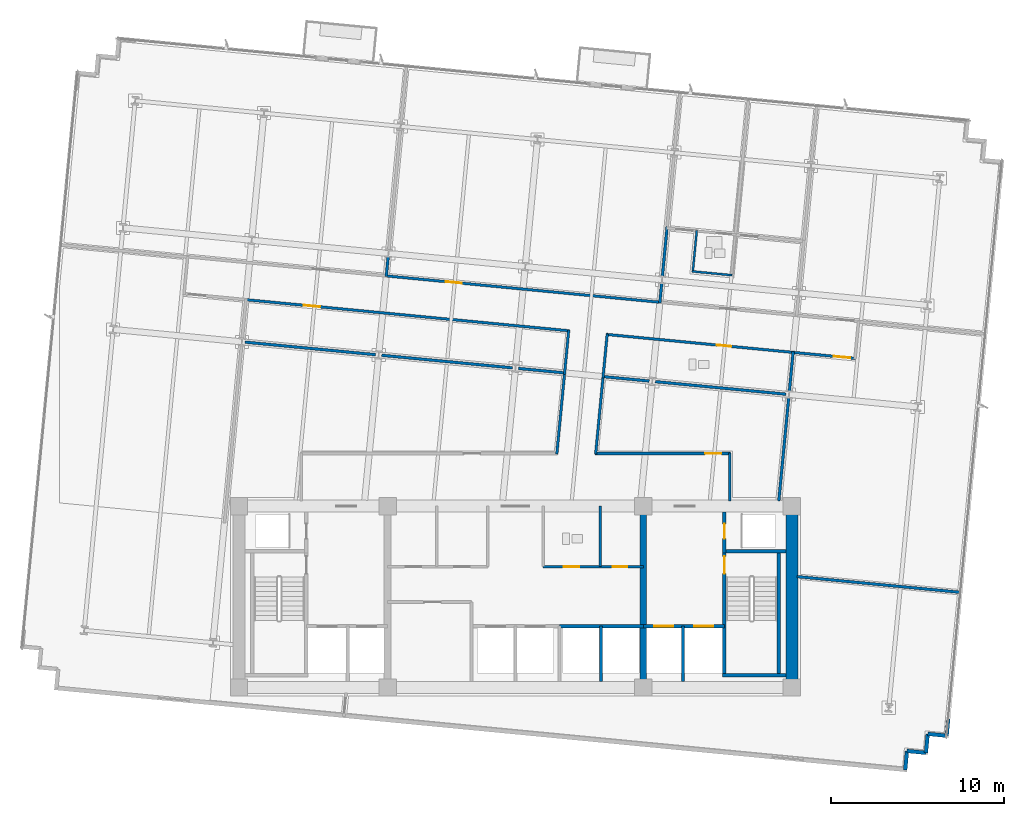
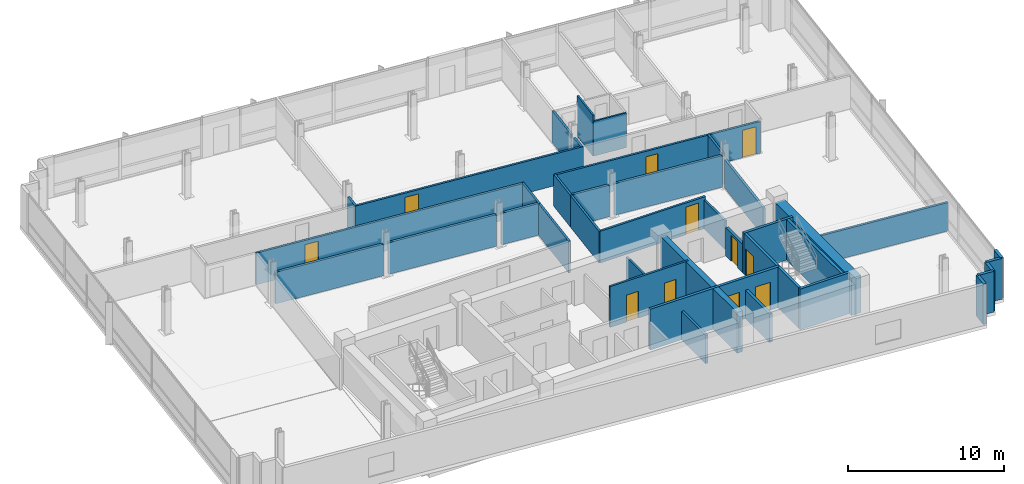
# One storey, part 11 of 16: 41 walls, 11 doors, 11 openings.
"""IFC4 building model written with IfcOpenShell, lengths in metres."""

import ifcopenshell
import ifcopenshell.guid

model = None  # the IFC model being written
_history = None  # IfcOwnerHistory: only IFC2X3 demands one
_inside = {}  # id of a spatial element -> (the spatial element, [elements in it])
_under = {}  # id of a project, library or spatial element -> (it, [spatial elements below it])
_declared = {}  # id of a project -> (the project, [libraries it declares])
_typed = {}  # id of a type object -> (the type object, [elements of that type])
_made_of = {}  # id of a material, layer set ... -> (it, [elements and type objects made of it])


def new_model(schema):
    """Start an empty IFC model of exactly this schema.

    Asked for "IFC4X3", IfcOpenShell would pick the latest addendum, in which some entities
    have other attributes; the version numbers below select the first issue.
    IFC2X3 requires an IfcOwnerHistory on every rooted entity: one is made here for all.
    """
    global model, _history
    if schema == "IFC4X3":
        model = ifcopenshell.file(schema_version=(4, 3, 0, 0))
    else:
        model = ifcopenshell.file(schema=schema)
    _inside.clear()
    _under.clear()
    _declared.clear()
    _typed.clear()
    _made_of.clear()
    _history = None
    if model.schema == "IFC2X3":
        org = make("IfcOrganization", Name="unknown")
        user = make(
            "IfcPersonAndOrganization",
            ThePerson=make("IfcPerson", FamilyName="unknown"),
            TheOrganization=org,
        )
        app = make(
            "IfcApplication",
            ApplicationDeveloper=org,
            Version="unknown",
            ApplicationFullName="unknown",
            ApplicationIdentifier="unknown",
        )
        _history = make(
            "IfcOwnerHistory",
            OwningUser=user,
            OwningApplication=app,
            ChangeAction="ADDED",
            CreationDate=0,
        )
    return model


def make(cls, **values):
    """One entity of the class cls with the attributes given. An attribute that is None is left unset."""
    return model.create_entity(
        cls, **{name: value for name, value in values.items() if value is not None}
    )


def rooted(cls, **values):
    """An entity with a GlobalId (a new one), such as an element, a storey or a relation."""
    return make(cls, GlobalId=ifcopenshell.guid.new(), OwnerHistory=_history, **values)


def si_unit(unit_type, name, prefix=None):
    """IfcSIUnit, for example si_unit("LENGTHUNIT", "METRE", prefix="MILLI")."""
    return make("IfcSIUnit", UnitType=unit_type, Prefix=prefix, Name=name)


def assignment(units):
    """IfcUnitAssignment: the units of a project."""
    return None if units is None else make("IfcUnitAssignment", Units=units)


def point(xyz):
    """IfcCartesianPoint."""
    return None if xyz is None else make("IfcCartesianPoint", Coordinates=xyz)


def direction(xyz):
    """IfcDirection."""
    return None if xyz is None else make("IfcDirection", DirectionRatios=xyz)


def frame(location, z_axis=None, x_axis=None):
    """IfcAxis2Placement3D, a coordinate frame: its origin and axes. An axis left out is left unset."""
    return make(
        "IfcAxis2Placement3D",
        Location=point(location),
        Axis=direction(z_axis),
        RefDirection=direction(x_axis),
    )


def frame_2d(location, x_axis=None):
    """IfcAxis2Placement2D, a coordinate frame in the plane: its origin and x axis."""
    return make(
        "IfcAxis2Placement2D", Location=point(location), RefDirection=direction(x_axis)
    )


def origin():
    """The frame at (0, 0, 0) with its axes left unset."""
    return frame((0.0, 0.0, 0.0))


def place(relative_to, where):
    """IfcLocalPlacement: puts the frame where relative to a parent placement (None: the world)."""
    return make(
        "IfcLocalPlacement", PlacementRelTo=relative_to, RelativePlacement=where
    )


def context(
    kind, dimensions, precision=None, world=None, true_north=None, identifier=None
):
    """IfcGeometricRepresentationContext, for example the 3D "Model" context."""
    return make(
        "IfcGeometricRepresentationContext",
        ContextIdentifier=identifier,
        ContextType=kind,
        CoordinateSpaceDimension=dimensions,
        Precision=precision,
        WorldCoordinateSystem=world,
        TrueNorth=true_north,
    )


def subcontext(parent, identifier, kind, view, scale=None):
    """IfcGeometricRepresentationSubContext, for example "Body" below "Model"."""
    return make(
        "IfcGeometricRepresentationSubContext",
        ContextIdentifier=identifier,
        ContextType=kind,
        ParentContext=parent,
        TargetScale=scale,
        TargetView=view,
    )


def project(units=None, contexts=None):
    """IfcProject with its units and contexts."""
    return rooted(
        "IfcProject",
        Name="project",
        RepresentationContexts=contexts,
        UnitsInContext=assignment(units),
    )


def spatial(cls, under=None, at=None, **own):
    """A site, building, storey or space (cls), placed at a placement, below another one or the project."""
    s = rooted(cls, ObjectPlacement=at, **own)
    if under is not None:
        _under.setdefault(under.id(), (under, []))[1].append(s)
    return s


def profile(cls, at=None, kind="AREA", **sizes):
    """A parametric profile (cls). Its sizes go by their IFC names, for example OverallWidth=200.0."""
    return make(cls, ProfileType=kind, Position=at, **sizes)


def rectangle(**sizes):
    """IfcRectangleProfileDef."""
    return profile("IfcRectangleProfileDef", **sizes)


def extrude(swept, where, along, depth):
    """IfcExtrudedAreaSolid: the profile swept, set in the frame where, extruded along a direction by depth."""
    return make(
        "IfcExtrudedAreaSolid",
        SweptArea=swept,
        Position=where,
        ExtrudedDirection=direction(along),
        Depth=depth,
    )


def shape(context_of_items, identifier, shape_type, items):
    """IfcShapeRepresentation: the items that make up one representation, for example the "Body"."""
    return make(
        "IfcShapeRepresentation",
        ContextOfItems=context_of_items,
        RepresentationIdentifier=identifier,
        RepresentationType=shape_type,
        Items=items,
    )


def material(Name=None, Category=None):
    """IfcMaterial."""
    return make("IfcMaterial", Name=Name, Category=Category)


def layer(
    of_material, thickness, ventilated=None, Name=None, Category=None, Priority=None
):
    """IfcMaterialLayer: one layer of a wall or slab, of a material (None: an air gap)."""
    return make(
        "IfcMaterialLayer",
        Material=of_material,
        LayerThickness=thickness,
        IsVentilated=ventilated,
        Name=Name,
        Category=Category,
        Priority=Priority,
    )


def layer_set(layers, Name=None):
    """IfcMaterialLayerSet."""
    return make("IfcMaterialLayerSet", MaterialLayers=layers, LayerSetName=Name)


def made_of(thing, what):
    """Note that an element or type object is made of a material, layer set ...; save() writes the relation."""
    if what is not None:
        _made_of.setdefault(what.id(), (what, []))[1].append(thing)
    return thing


def type_object(cls, material=None, **own):
    """A type object (cls), such as IfcWallType, which elements share."""
    return made_of(rooted(cls, **own), material)


def element(
    cls,
    number,
    at=None,
    inside=None,
    cuts=None,
    type_object=None,
    material=None,
    context=None,
    identifier="Body",
    shape_type=None,
    held_by="IfcProductDefinitionShape",
    body=None,
    shapes=None,
    **own,
):
    """One element of the class cls, such as IfcWall. Its Tag is "e" and its number.

    at: its placement. inside: the storey or other place that contains it. cuts: it is an
    opening in that element (IfcRelVoidsElement). A single representation is given by context,
    identifier, shape_type and body (its items); several are given by shapes. held_by: the class
    of the entity that holds the representations. save() writes the other relations.
    """
    e = rooted(cls, Tag="e%d" % number, ObjectPlacement=at, **own)
    if body is not None:
        shapes = [shape(context, identifier, shape_type, body)]
    if shapes is not None:
        e.Representation = make(held_by, Representations=shapes)
    if inside is not None:
        _inside.setdefault(inside.id(), (inside, []))[1].append(e)
    if cuts is not None:
        rooted(
            "IfcRelVoidsElement", RelatingBuildingElement=cuts, RelatedOpeningElement=e
        )
    if type_object is not None:
        _typed.setdefault(type_object.id(), (type_object, []))[1].append(e)
    return made_of(e, material)


def fill(opening, filler):
    """IfcRelFillsElement: the door or window that sits in an opening."""
    return rooted(
        "IfcRelFillsElement",
        RelatingOpeningElement=opening,
        RelatedBuildingElement=filler,
    )


def aggregate(whole, parts):
    """IfcRelAggregates: a whole, such as a stair, and the parts it consists of."""
    return rooted("IfcRelAggregates", RelatingObject=whole, RelatedObjects=parts)


def save(model, path):
    """Write the relations noted so far, then the file.

    IfcRelAggregates (storeys below a building ...), IfcRelContainedInSpatialStructure (elements
    in a storey), IfcRelDefinesByType, IfcRelAssociatesMaterial and IfcRelDeclares: one each for
    every whole, place, type object, material and project.
    """
    for whole, parts in _under.values():
        aggregate(whole, parts)
    for where, things in _inside.values():
        rooted(
            "IfcRelContainedInSpatialStructure",
            RelatedElements=things,
            RelatingStructure=where,
        )
    for kind, things in _typed.values():
        rooted("IfcRelDefinesByType", RelatedObjects=things, RelatingType=kind)
    for what, things in _made_of.values():
        rooted("IfcRelAssociatesMaterial", RelatedObjects=things, RelatingMaterial=what)
    for by, libraries in _declared.values():
        rooted("IfcRelDeclares", RelatingContext=by, RelatedDefinitions=libraries)
    model.write(path)


model = new_model("IFC4")

# Units and contexts
model_context = context("Model", 3, precision=1e-05, world=origin(), true_north=direction((0.0, 1.0)))
body_context = subcontext(model_context, "Body", "Model", "MODEL_VIEW")
ifc_project = project(units=[si_unit("LENGTHUNIT", "METRE"), si_unit("AREAUNIT", "SQUARE_METRE"), si_unit("VOLUMEUNIT", "CUBIC_METRE"), si_unit("PLANEANGLEUNIT", "RADIAN"), si_unit("MASSUNIT", "GRAM", prefix="KILO")], contexts=[model_context])

# Site, building, storey
site_placement = place(None, origin())
site = spatial("IfcSite", under=ifc_project, at=site_placement, CompositionType="ELEMENT")
building_placement = place(site_placement, origin())
building = spatial("IfcBuilding", under=site, at=building_placement, Name="Solmavex Isthmus Hotel", CompositionType="ELEMENT")
storey_placement = place(building_placement, frame((0.0, 0.0, 160.050048828125)))
storey = spatial("IfcBuildingStorey", under=building, at=storey_placement, Name="L43", CompositionType="ELEMENT", Elevation=160.050048828125)

# Walls
ifc_material_1 = material(Name="Precast Concrete C40/50", Category="concrete")
ifc_layer_1 = layer(ifc_material_1, 0.25)
ifc_layer_set_1 = layer_set([ifc_layer_1], Name="Precast Concrete C40/50")
wall_type_1 = type_object("IfcWallType", Name="EW-TWR-250", PredefinedType="STANDARD", material=ifc_layer_set_1)
wall_1_placement = place(storey_placement, frame((25.0615234375, -14.804931640625, 0.0), z_axis=(0.0, 0.0, 1.0), x_axis=(-0.095914428506, -0.995389583231, 0.0)))
element("IfcWall", 1, at=wall_1_placement, inside=storey, type_object=wall_type_1, Name="Serrated Corner Facade Panel L43-21", PredefinedType="STANDARD", context=body_context, shape_type="SweptSolid", body=[
    extrude(rectangle(XDim=0.990234375, YDim=0.219970703125, at=frame_2d((0.4951171875, 0.0))), origin(), (0.0, 0.0, 1.0), 3.18994140625),
])
for number, where, z_axis, x_axis, name in (
    (2, (24.966552734375, -15.79052734375, 0.0), (0.0, 0.0, 1.0), (-0.995393156894, 0.095877334176, 0.0), "Serrated Corner Facade Panel L43-22"),
    (3, (23.87158203125, -15.68505859375, 0.0), (0.0, 0.0, 1.0), (-0.095877334176, -0.995393156894, 0.0), "Serrated Corner Facade Panel L43-23"),
    (4, (23.76611328125, -16.780029296875, 0.0), (0.0, 0.0, 1.0), (-0.995393156894, 0.095877334176, 0.0), "Serrated Corner Facade Panel L43-24"),
    (5, (22.671142578125, -16.674560546875, 0.0), (0.0, 0.0, 1.0), (-0.095657429048, -0.995414313875, 0.0), "Serrated Corner Facade Panel L43-25"),
):
    element("IfcWall", number, at=place(storey_placement, frame(where, z_axis=z_axis, x_axis=x_axis)), inside=storey, type_object=wall_type_1, Name=name, PredefinedType="STANDARD", context=body_context, shape_type="SweptSolid", body=[
        extrude(rectangle(XDim=1.10009765625, YDim=0.219970703125, at=frame_2d((0.550048828125, 0.0))), origin(), (0.0, 0.0, 1.0), 3.18994140625),
    ])
ifc_material_2 = material(Name="Gypsum plasterboard lining", Category="gypsum")
ifc_layer_2 = layer(ifc_material_2, 0.159912109375)
ifc_layer_set_2 = layer_set([ifc_layer_2], Name="Gypsum plasterboard lining")
wall_type_2 = type_object("IfcWallType", Name="IW-COMP-160", PredefinedType="PARTITIONING", material=ifc_layer_set_2)
for number, where, z_axis, x_axis, name in (
    (6, (-7.36865234375, 11.95849609375, 0.0), (0.0, 0.0, 1.0), (-0.095831494917, -0.995397571115, 0.0), "Interior Partition Wall W-L43-P019"),
    (7, (8.469970703125, 10.433349609375, 0.0), (0.0, 0.0, 1.0), (-0.095831494917, -0.995397571115, 0.0), "Interior Partition Wall W-L43-P023"),
):
    element("IfcWall", number, at=place(storey_placement, frame(where, z_axis=z_axis, x_axis=x_axis)), inside=storey, type_object=wall_type_2, Name=name, PredefinedType="PARTITIONING", context=body_context, shape_type="SweptSolid", body=[
        extrude(rectangle(XDim=1.171875, YDim=0.159912109375, at=frame_2d((0.5859375, 0.0))), origin(), (0.0, 0.0, 1.0), 2.4794921875),
    ])
wall_2_placement = place(storey_placement, frame((8.7822265625, 13.676513671875, 0.0), z_axis=(0.0, 0.0, 1.0), x_axis=(-0.095851667856, -0.995395628767, 0.0)))
element("IfcWall", 8, at=wall_2_placement, inside=storey, type_object=wall_type_2, Name="Interior Partition Wall W-L43-P024", PredefinedType="PARTITIONING", context=body_context, shape_type="SweptSolid", body=[
    extrude(rectangle(XDim=2.90625, YDim=0.159912109375, at=frame_2d((1.453125, 0.0))), origin(), (0.0, 0.0, 1.0), 2.4794921875),
])
wall_3_placement = place(storey_placement, frame((7.745361328125, 4.74462890625, 0.0), z_axis=(0.0, 0.0, 1.0), x_axis=(-0.995392910691, 0.095879890208, 0.0)))
element("IfcWall", 9, at=wall_3_placement, inside=storey, type_object=wall_type_2, Name="Interior Partition Wall W-L43-P039", PredefinedType="PARTITIONING", context=body_context, shape_type="SweptSolid", body=[
    extrude(rectangle(XDim=2.721923828125, YDim=0.159912109375, at=frame_2d((1.36083984375, 0.0))), origin(), (0.0, 0.0, 1.0), 2.4794921875),
])
wall_4_placement = place(storey_placement, frame((15.664794921875, 3.982177734375, 0.0), z_axis=(0.0, 0.0, 1.0), x_axis=(-0.995396667246, 0.095840882902, 0.0)))
element("IfcWall", 10, at=wall_4_placement, inside=storey, type_object=wall_type_2, Name="Interior Partition Wall W-L43-P040", PredefinedType="PARTITIONING", context=body_context, shape_type="SweptSolid", body=[
    extrude(rectangle(XDim=7.603759765625, YDim=0.159912109375, at=frame_2d((3.8017578125, 0.0))), origin(), (0.0, 0.0, 1.0), 2.4794921875),
])
wall_5_placement = place(storey_placement, frame((16.07861328125, 6.44384765625, 0.0), z_axis=(0.0, 0.0, 1.0), x_axis=(-0.095794827695, -0.995401100555, 0.0)))
element("IfcWall", 11, at=wall_5_placement, inside=storey, type_object=wall_type_2, Name="Interior Partition Wall W-L43-P041", PredefinedType="PARTITIONING", context=body_context, shape_type="SweptSolid", body=[
    extrude(rectangle(XDim=2.314208984375, YDim=0.159912109375, at=frame_2d((1.1572265625, 0.0))), origin(), (0.0, 0.0, 1.0), 2.4794921875),
])
for number, where, z_axis, x_axis, name in (
    (12, (-8.09326171875, 6.269775390625, 0.0), (0.0, 0.0, 1.0), (-0.995396962155, 0.095837819954, 0.0), "Interior Partition Wall W-L43-P042"),
    (13, (-0.173828125, 5.507080078125, 0.0), (0.0, 0.0, 1.0), (-0.995393898805, 0.095869631385, 0.0), "Interior Partition Wall W-L43-P043"),
):
    element("IfcWall", number, at=place(storey_placement, frame(where, z_axis=z_axis, x_axis=x_axis)), inside=storey, type_object=wall_type_2, Name=name, PredefinedType="PARTITIONING", context=body_context, shape_type="SweptSolid", body=[
        extrude(rectangle(XDim=7.60400390625, YDim=0.159912109375, at=frame_2d((3.802001953125, 0.0))), origin(), (0.0, 0.0, 1.0), 2.4794921875),
    ])
wall_6_placement = place(storey_placement, frame((2.885986328125, 5.212646484375, 0.0), z_axis=(0.0, 0.0, 1.0), x_axis=(-0.995401466761, 0.095791022391, 0.0)))
element("IfcWall", 14, at=wall_6_placement, inside=storey, type_object=wall_type_2, Name="Interior Partition Wall W-L43-P044", PredefinedType="PARTITIONING", context=body_context, shape_type="SweptSolid", body=[
    extrude(rectangle(XDim=2.721923828125, YDim=0.159912109375, at=frame_2d((1.36083984375, 0.0))), origin(), (0.0, 0.0, 1.0), 2.4794921875),
])
wall_7_placement = place(storey_placement, frame((15.8232421875, 3.7900390625, 0.0), z_axis=(0.0, 0.0, 1.0), x_axis=(-0.095865726078, -0.99539427493, 0.0)))
element("IfcWall", 15, at=wall_7_placement, inside=storey, type_object=wall_type_2, Name="Interior Partition Wall W-L43-P046", PredefinedType="PARTITIONING", context=body_context, shape_type="SweptSolid", body=[
    extrude(rectangle(XDim=6.007568359375, YDim=0.159912109375, at=frame_2d((3.00390625, 0.0))), origin(), (0.0, 0.0, 1.0), 2.224853515625),
])
wall_8_placement = place(storey_placement, frame((25.795654296875, -7.49169921875, 0.0), z_axis=(0.0, 0.0, 1.0), x_axis=(-0.995396487733, 0.095842747294, 0.0)))
element("IfcWall", 16, at=wall_8_placement, inside=storey, type_object=wall_type_2, Name="Interior Partition Wall W-L43-P049", PredefinedType="PARTITIONING", context=body_context, shape_type="SweptSolid", body=[
    extrude(rectangle(XDim=9.529541015625, YDim=0.159912109375, at=frame_2d((4.7646484375, 0.0))), origin(), (0.0, 0.0, 1.0), 2.224853515625),
])

# Wall, openings, doors
ifc_layer_3 = layer(ifc_material_2, 0.14990234375)
ifc_layer_set_3 = layer_set([ifc_layer_3], Name="Gypsum plasterboard lining")
wall_type_3 = type_object("IfcWallType", Name="IW-CORR-150", PredefinedType="PARTITIONING", material=ifc_layer_set_3)
wall_9_placement = place(storey_placement, frame((1.60009765625, -6.0, 0.0), z_axis=(0.0, 0.0, 1.0), x_axis=(1.0, 0.0, 0.0)))
wall_9 = element("IfcWall", 17, at=wall_9_placement, inside=storey, type_object=wall_type_3, Name="Interior Partition Wall W-L43-BOH-ES", PredefinedType="PARTITIONING", context=body_context, shape_type="SweptSolid", body=[
    extrude(rectangle(XDim=5.7998046875, YDim=0.14990234375, at=frame_2d((2.89990234375, 0.0))), origin(), (0.0, 0.0, 1.0), 3.18994140625),
])
opening_1_placement = place(wall_9_placement, frame((1.199951171875, 0.0, 0.0)))
opening_1 = element("IfcOpeningElement", 18, at=opening_1_placement, cuts=wall_9, Name="Opening ID-C090", PredefinedType="OPENING", context=body_context, shape_type="SweptSolid", body=[
    extrude(rectangle(XDim=0.89990234375, YDim=2.10009765625, at=frame_2d((0.449951171875, 1.050048828125))), frame((0.0, 0.0849609375, 0.0), z_axis=(0.0, -1.0, 0.0), x_axis=(1.0, 0.0, 0.0)), (0.0, 0.0, 1.0), 0.169921875),
])
opening_2_placement = place(wall_9_placement, frame((4.02490234375, 0.0, 0.0)))
opening_2 = element("IfcOpeningElement", 19, at=opening_2_placement, cuts=wall_9, Name="Opening ID-R085", PredefinedType="OPENING", context=body_context, shape_type="SweptSolid", body=[
    extrude(rectangle(XDim=0.85009765625, YDim=2.050048828125, at=frame_2d((0.425048828125, 1.02490234375))), frame((0.0, 0.0849609375, 0.0), z_axis=(0.0, -1.0, 0.0), x_axis=(1.0, 0.0, 0.0)), (0.0, 0.0, 1.0), 0.169921875),
])
ifc_material_3 = material(Name="Steel ASTM A500 Grade C", Category="steel")
door_type_1 = type_object("IfcDoorType", Name="IDR-FD60-0850", OperationType="NOTDEFINED", PredefinedType="DOOR", material=ifc_material_3)
door_1_placement = place(opening_2_placement, frame((0.85009765625, 0.0, 0.0), z_axis=(0.0, 0.0, 1.0), x_axis=(-1.0, 0.0, 0.0)))
door_1 = element("IfcDoor", 20, at=door_1_placement, inside=storey, type_object=door_type_1, Name="IT Room Door L43", OperationType="SINGLE_SWING_RIGHT", OverallHeight=2.050048828125, OverallWidth=0.85009765625, PredefinedType="DOOR", context=body_context, shape_type="SweptSolid", body=[
    extrude(rectangle(XDim=0.85009765625, YDim=2.050048828125, at=frame_2d((0.425048828125, 1.02490234375))), frame((0.0, 0.02490234375, 0.0), z_axis=(0.0, -1.0, 0.0), x_axis=(1.0, 0.0, 0.0)), (0.0, 0.0, 1.0), 0.050048828125),
])
fill(opening_2, door_1)
ifc_material_4 = material(Name="Hardwood timber", Category="wood")
door_type_2 = type_object("IfcDoorType", Name="IDR-FD60-0900", OperationType="NOTDEFINED", PredefinedType="DOOR", material=ifc_material_4)
door_2_placement = place(opening_1_placement, frame((0.89990234375, 0.0, 0.0), z_axis=(0.0, 0.0, 1.0), x_axis=(-1.0, 0.0, 0.0)))
door_2 = element("IfcDoor", 21, at=door_2_placement, inside=storey, type_object=door_type_2, Name="Staff Restroom Door L43", OperationType="SINGLE_SWING_LEFT", OverallHeight=2.10009765625, OverallWidth=0.89990234375, PredefinedType="DOOR", context=body_context, shape_type="SweptSolid", body=[
    extrude(rectangle(XDim=0.89990234375, YDim=2.10009765625, at=frame_2d((0.449951171875, 1.050048828125))), frame((0.0, 0.02490234375, 0.0), z_axis=(0.0, -1.0, 0.0), x_axis=(1.0, 0.0, 0.0)), (0.0, 0.0, 1.0), 0.050048828125),
])
fill(opening_1, door_2)

# Wall, opening, door
wall_10_placement = place(storey_placement, frame((-7.558837890625, 10.839599609375, 0.0), z_axis=(0.0, 0.0, 1.0), x_axis=(0.995396443768, -0.095843203903, 0.0)))
wall_10 = element("IfcWall", 22, at=wall_10_placement, inside=storey, type_object=wall_type_3, Name="Interior Partition Wall W-L43-P002", PredefinedType="PARTITIONING", context=body_context, shape_type="SweptSolid", body=[
    extrude(rectangle(XDim=16.075927734375, YDim=0.14990234375, at=frame_2d((8.0380859375, 0.0))), origin(), (0.0, 0.0, 1.0), 2.4794921875),
])
opening_3_placement = place(wall_10_placement, frame((3.531982421875, 0.0, 0.0)))
opening_3 = element("IfcOpeningElement", 23, at=opening_3_placement, cuts=wall_10, Name="Opening ID-C095", PredefinedType="OPENING", context=body_context, shape_type="SweptSolid", body=[
    extrude(rectangle(XDim=0.949951171875, YDim=2.14990234375, at=frame_2d((0.47509765625, 1.074951171875))), frame((0.0, 0.0849609375, 0.0), z_axis=(0.0, -1.0, 0.0), x_axis=(1.0, 0.0, 0.0)), (0.0, 0.0, 1.0), 0.169921875),
])
door_type_3 = type_object("IfcDoorType", Name="IDR-FD60-0950", OperationType="NOTDEFINED", PredefinedType="DOOR", material=ifc_material_4)
door_3_placement = place(opening_3_placement, frame((0.949951171875, 0.0, 0.0), z_axis=(0.0, 0.0, 1.0), x_axis=(-1.0, 0.0, 0.0)))
door_3 = element("IfcDoor", 24, at=door_3_placement, inside=storey, type_object=door_type_3, Name="Corporate Briefing Office Door L43-02", OperationType="SINGLE_SWING_RIGHT", OverallHeight=2.14990234375, OverallWidth=0.949951171875, PredefinedType="DOOR", context=body_context, shape_type="SweptSolid", body=[
    extrude(rectangle(XDim=0.949951171875, YDim=2.14990234375, at=frame_2d((0.47509765625, 1.074951171875))), frame((0.0, 0.02490234375, 0.0), z_axis=(0.0, -1.0, 0.0), x_axis=(1.0, 0.0, 0.0)), (0.0, 0.0, 1.0), 0.050048828125),
])
fill(opening_3, door_3)

wall_11_placement = place(storey_placement, frame((16.156494140625, 6.39599609375, 0.0), z_axis=(0.0, 0.0, 1.0), x_axis=(-0.99539478422, 0.095860437863, 0.0)))
wall_11 = element("IfcWall", 25, at=wall_11_placement, inside=storey, type_object=wall_type_3, Name="Interior Partition Wall W-L43-P005", PredefinedType="PARTITIONING", context=body_context, shape_type="SweptSolid", body=[
    extrude(rectangle(XDim=10.93603515625, YDim=0.14990234375, at=frame_2d((5.468017578125, 0.0))), origin(), (0.0, 0.0, 1.0), 2.4794921875),
])
opening_4_placement = place(wall_11_placement, frame((3.675048828125, 0.0, 0.0)))
opening_4 = element("IfcOpeningElement", 26, at=opening_4_placement, cuts=wall_11, Name="Opening ID-R085", PredefinedType="OPENING", context=body_context, shape_type="SweptSolid", body=[
    extrude(rectangle(XDim=0.85009765625, YDim=2.050048828125, at=frame_2d((0.425048828125, 1.02490234375))), frame((0.0, 0.0849609375, 0.0), z_axis=(0.0, -1.0, 0.0), x_axis=(1.0, 0.0, 0.0)), (0.0, 0.0, 1.0), 0.169921875),
])
door_4_placement = place(opening_4_placement, frame((0.85009765625, 0.0, 0.0), z_axis=(0.0, 0.0, 1.0), x_axis=(-1.0, 0.0, 0.0)))
door_4 = element("IfcDoor", 27, at=door_4_placement, inside=storey, type_object=door_type_1, Name="Accessible Public Restroom WC Door L43-08", OperationType="SINGLE_SWING_RIGHT", OverallHeight=2.050048828125, OverallWidth=0.85009765625, PredefinedType="DOOR", context=body_context, shape_type="SweptSolid", body=[
    extrude(rectangle(XDim=0.85009765625, YDim=2.050048828125, at=frame_2d((0.425048828125, 1.02490234375))), frame((0.0, 0.02490234375, 0.0), z_axis=(0.0, -1.0, 0.0), x_axis=(1.0, 0.0, 0.0)), (0.0, 0.0, 1.0), 0.050048828125),
])
fill(opening_4, door_4)

# Walls
for number, where, z_axis, x_axis, name in (
    (28, (5.314453125, 7.480224609375, 0.0), (0.0, 0.0, 1.0), (-0.09587519517, -0.995393362923, 0.0), "Interior Partition Wall W-L43-P006"),
    (29, (2.83837890625, 5.134765625, 0.0), (0.0, 0.0, 1.0), (0.095772090971, 0.995403288417, 0.0), "Interior Partition Wall W-L43-P007"),
):
    element("IfcWall", number, at=place(storey_placement, frame(where, z_axis=z_axis, x_axis=x_axis)), inside=storey, type_object=wall_type_3, Name=name, PredefinedType="PARTITIONING", context=body_context, shape_type="SweptSolid", body=[
        extrude(rectangle(XDim=2.572021484375, YDim=0.14990234375, at=frame_2d((1.2861328125, 0.0))), origin(), (0.0, 0.0, 1.0), 2.4794921875),
    ])

# Wall, opening, door
wall_12_placement = place(storey_placement, frame((3.120849609375, 7.6513671875, 0.0), z_axis=(0.0, 0.0, 1.0), x_axis=(-0.995397135603, 0.095836018457, 0.0)))
wall_12 = element("IfcWall", 30, at=wall_12_placement, inside=storey, type_object=wall_type_3, Name="Interior Partition Wall W-L43-P008", PredefinedType="PARTITIONING", context=body_context, shape_type="SweptSolid", body=[
    extrude(rectangle(XDim=18.89208984375, YDim=0.14990234375, at=frame_2d((9.446044921875, 0.0))), origin(), (0.0, 0.0, 1.0), 2.4794921875),
])
opening_5_placement = place(wall_12_placement, frame((14.501708984375, 0.0, 0.0)))
opening_5 = element("IfcOpeningElement", 31, at=opening_5_placement, cuts=wall_12, Name="Opening ID-C095", PredefinedType="OPENING", context=body_context, shape_type="SweptSolid", body=[
    extrude(rectangle(XDim=0.949951171875, YDim=2.14990234375, at=frame_2d((0.47509765625, 1.074951171875))), frame((0.0, 0.0849609375, 0.0), z_axis=(0.0, -1.0, 0.0), x_axis=(1.0, 0.0, 0.0)), (0.0, 0.0, 1.0), 0.169921875),
])
door_5_placement = place(opening_5_placement, frame((0.949951171875, 0.0, 0.0), z_axis=(0.0, 0.0, 1.0), x_axis=(-1.0, 0.0, 0.0)))
door_5 = element("IfcDoor", 32, at=door_5_placement, inside=storey, type_object=door_type_3, Name="Private Dining Room Door L43-09", OperationType="SINGLE_SWING_LEFT", OverallHeight=2.14990234375, OverallWidth=0.949951171875, PredefinedType="DOOR", context=body_context, shape_type="SweptSolid", body=[
    extrude(rectangle(XDim=0.949951171875, YDim=2.14990234375, at=frame_2d((0.47509765625, 1.074951171875))), frame((0.0, 0.02490234375, 0.0), z_axis=(0.0, -1.0, 0.0), x_axis=(1.0, 0.0, 0.0)), (0.0, 0.0, 1.0), 0.050048828125),
])
fill(opening_5, door_5)

# Wall
wall_13_placement = place(storey_placement, frame((5.083740234375, 5.083251953125, 0.0), z_axis=(0.0, 0.0, 1.0), x_axis=(-0.095867331855, -0.995394120277, 0.0)))
element("IfcWall", 33, at=wall_13_placement, inside=storey, type_object=wall_type_3, Name="Interior Partition Wall W-L43-P009", PredefinedType="PARTITIONING", context=body_context, shape_type="SweptSolid", body=[
    extrude(rectangle(XDim=4.59423828125, YDim=0.14990234375, at=frame_2d((2.297119140625, 0.0))), origin(), (0.0, 0.0, 1.0), 2.4794921875),
])

# Wall, opening, door
wall_14_placement = place(storey_placement, frame((4.607177734375, 0.550048828125, 0.0), z_axis=(0.0, 0.0, 1.0), x_axis=(1.0, 0.0, 0.0)))
wall_14 = element("IfcWall", 34, at=wall_14_placement, inside=storey, type_object=wall_type_3, Name="Interior Partition Wall W-L43-P010", PredefinedType="PARTITIONING", context=body_context, shape_type="SweptSolid", body=[
    extrude(rectangle(XDim=7.832763671875, YDim=0.14990234375, at=frame_2d((3.91650390625, 0.0))), origin(), (0.0, 0.0, 1.0), 2.4794921875),
])
opening_6_placement = place(wall_14_placement, frame((6.3720703125, 0.0, 0.0)))
opening_6 = element("IfcOpeningElement", 35, at=opening_6_placement, cuts=wall_14, Name="Opening ID-C095", PredefinedType="OPENING", context=body_context, shape_type="SweptSolid", body=[
    extrude(rectangle(XDim=0.949951171875, YDim=2.14990234375, at=frame_2d((0.47509765625, 1.074951171875))), frame((0.0, 0.0849609375, 0.0), z_axis=(0.0, -1.0, 0.0), x_axis=(1.0, 0.0, 0.0)), (0.0, 0.0, 1.0), 0.169921875),
])
door_6_placement = place(opening_6_placement, origin())
door_6 = element("IfcDoor", 36, at=door_6_placement, inside=storey, type_object=door_type_3, Name="Catering Servery Kitchen Door L43-10", OperationType="SINGLE_SWING_RIGHT", OverallHeight=2.14990234375, OverallWidth=0.949951171875, PredefinedType="DOOR", context=body_context, shape_type="SweptSolid", body=[
    extrude(rectangle(XDim=0.949951171875, YDim=2.14990234375, at=frame_2d((0.47509765625, 1.074951171875))), frame((0.0, 0.02490234375, 0.0), z_axis=(0.0, -1.0, 0.0), x_axis=(1.0, 0.0, 0.0)), (0.0, 0.0, 1.0), 0.050048828125),
])
fill(opening_6, door_6)

# Walls
wall_15_placement = place(storey_placement, frame((12.39990234375, 0.590087890625, 0.0), z_axis=(0.0, 0.0, 1.0), x_axis=(0.0, -1.0, 0.0)))
element("IfcWall", 37, at=wall_15_placement, inside=storey, type_object=wall_type_3, Name="Interior Partition Wall W-L43-P011", PredefinedType="PARTITIONING", context=body_context, shape_type="SweptSolid", body=[
    extrude(rectangle(XDim=2.780029296875, YDim=0.14990234375, at=frame_2d((1.39013671875, 0.0))), origin(), (0.0, 0.0, 1.0), 2.224853515625),
])
wall_16_placement = place(storey_placement, frame((2.39306640625, 0.51025390625, 0.0), z_axis=(0.0, 0.0, 1.0), x_axis=(0.095829431913, 0.995397769728, 0.0)))
element("IfcWall", 38, at=wall_16_placement, inside=storey, type_object=wall_type_3, Name="Interior Partition Wall W-L43-P014", PredefinedType="PARTITIONING", context=body_context, shape_type="SweptSolid", body=[
    extrude(rectangle(XDim=4.81005859375, YDim=0.14990234375, at=frame_2d((2.405029296875, 0.0))), origin(), (0.0, 0.0, 1.0), 2.4794921875),
])

# Wall, opening, door
wall_17_placement = place(storey_placement, frame((19.697998046875, 6.05517578125, 0.0), z_axis=(0.0, 0.0, 1.0), x_axis=(-0.995397364202, 0.095833644092, 0.0)))
wall_17 = element("IfcWall", 39, at=wall_17_placement, inside=storey, type_object=wall_type_3, Name="Interior Partition Wall W-L43-P016", PredefinedType="PARTITIONING", context=body_context, shape_type="SweptSolid", body=[
    extrude(rectangle(XDim=3.721923828125, YDim=0.14990234375, at=frame_2d((1.86083984375, 0.0))), origin(), (0.0, 0.0, 1.0), 2.4794921875),
])
opening_7_placement = place(wall_17_placement, frame((0.315185546875, 0.0, 0.0)))
opening_7 = element("IfcOpeningElement", 40, at=opening_7_placement, cuts=wall_17, Name="Opening ID-C095", PredefinedType="OPENING", context=body_context, shape_type="SweptSolid", body=[
    extrude(rectangle(XDim=0.949951171875, YDim=2.14990234375, at=frame_2d((0.47509765625, 1.074951171875))), frame((0.0, 0.0849609375, 0.0), z_axis=(0.0, -1.0, 0.0), x_axis=(1.0, 0.0, 0.0)), (0.0, 0.0, 1.0), 0.169921875),
])
door_7_placement = place(opening_7_placement, frame((0.949951171875, 0.0, 0.0), z_axis=(0.0, 0.0, 1.0), x_axis=(-1.0, 0.0, 0.0)))
door_7 = element("IfcDoor", 41, at=door_7_placement, inside=storey, type_object=door_type_3, Name="Corporate Briefing Office Door L43-12", OperationType="SINGLE_SWING_RIGHT", OverallHeight=2.14990234375, OverallWidth=0.949951171875, PredefinedType="DOOR", context=body_context, shape_type="SweptSolid", body=[
    extrude(rectangle(XDim=0.949951171875, YDim=2.14990234375, at=frame_2d((0.47509765625, 1.074951171875))), frame((0.0, 0.02490234375, 0.0), z_axis=(0.0, -1.0, 0.0), x_axis=(1.0, 0.0, 0.0)), (0.0, 0.0, 1.0), 0.050048828125),
])
fill(opening_7, door_7)

# Walls
ifc_layer_4 = layer(ifc_material_2, 0.1201171875)
ifc_layer_set_4 = layer_set([ifc_layer_4], Name="Gypsum plasterboard lining")
wall_type_4 = type_object("IfcWallType", Name="IW-PART-120", PredefinedType="PARTITIONING", material=ifc_layer_set_4)
wall_18_placement = place(storey_placement, frame((4.89990234375, -6.0, 0.0), z_axis=(0.0, 0.0, 1.0), x_axis=(0.0, 1.0, 0.0)))
element("IfcWall", 42, at=wall_18_placement, inside=storey, type_object=wall_type_4, Name="Interior Partition Wall W-L43-BOH-EM2", PredefinedType="PARTITIONING", context=body_context, shape_type="SweptSolid", body=[
    extrude(rectangle(XDim=3.5, YDim=0.14990234375, at=frame_2d((1.75, 0.0))), origin(), (0.0, 0.0, 1.0), 2.224853515625),
])
wall_19_placement = place(storey_placement, frame((10.498291015625, 13.468994140625, 0.0), z_axis=(0.0, 0.0, 1.0), x_axis=(-0.095842578202, -0.995396504014, 0.0)))
element("IfcWall", 43, at=wall_19_placement, inside=storey, type_object=wall_type_4, Name="Interior Partition Wall W-L43-P029", PredefinedType="PARTITIONING", context=body_context, shape_type="SweptSolid", body=[
    extrude(rectangle(XDim=2.43017578125, YDim=0.1201171875, at=frame_2d((1.215087890625, 0.0))), origin(), (0.0, 0.0, 1.0), 3.18994140625),
])
wall_20_placement = place(storey_placement, frame((10.2294921875, 11.09375, 0.0), z_axis=(0.0, 0.0, 1.0), x_axis=(0.995403652262, -0.095768309281, 0.0)))
element("IfcWall", 44, at=wall_20_placement, inside=storey, type_object=wall_type_4, Name="Interior Partition Wall W-L43-P030", PredefinedType="PARTITIONING", context=body_context, shape_type="SweptSolid", body=[
    extrude(rectangle(XDim=2.330078125, YDim=0.1201171875, at=frame_2d((1.1650390625, 0.0))), origin(), (0.0, 0.0, 1.0), 2.718017578125),
])
ifc_material_5 = material(Name="Concrete C40/50", Category="concrete")
ifc_layer_5 = layer(ifc_material_5, 0.179931640625)
ifc_layer_set_5 = layer_set([ifc_layer_5], Name="Concrete C40/50")
wall_type_5 = type_object("IfcWallType", Name="IW-SHAFT-180", PredefinedType="PARTITIONING", material=ifc_layer_set_5)
wall_21_placement = place(storey_placement, frame((4.949951171875, -12.64990234375, 0.0), z_axis=(0.0, 0.0, 1.0), x_axis=(0.0, 1.0, 0.0)))
element("IfcWall", 45, at=wall_21_placement, inside=storey, type_object=wall_type_5, Name="Interior Partition Wall W-L43-SH-PLH-M", PredefinedType="PARTITIONING", context=body_context, shape_type="SweptSolid", body=[
    extrude(rectangle(XDim=3.199951171875, YDim=0.179931640625, at=frame_2d((1.60009765625, 0.0))), origin(), (0.0, 0.0, 1.0), 2.224853515625),
])

# Wall, opening, door
ifc_layer_6 = layer(ifc_material_5, 0.199951171875)
ifc_layer_set_6 = layer_set([ifc_layer_6], Name="Concrete C40/50")
wall_type_6 = type_object("IfcWallType", Name="IW-SHAFT-200", PredefinedType="PARTITIONING", material=ifc_layer_set_6)
wall_22_placement = place(storey_placement, frame((12.10009765625, -5.199951171875, 0.0), z_axis=(0.0, 0.0, 1.0), x_axis=(0.0, 1.0, 0.0)))
wall_22 = element("IfcWall", 46, at=wall_22_placement, inside=storey, type_object=wall_type_6, Name="Interior Partition Wall W-L43-RSE-W", PredefinedType="PARTITIONING", context=body_context, shape_type="SweptSolid", body=[
    extrude(rectangle(XDim=2.349853515625, YDim=0.199951171875, at=frame_2d((1.1748046875, 0.0))), origin(), (0.0, 0.0, 1.0), 2.224853515625),
])
opening_8_placement = place(wall_22_placement, frame((0.824951171875, 0.0, 0.0)))
opening_8 = element("IfcOpeningElement", 47, at=opening_8_placement, cuts=wall_22, Name="Opening ID-R085", PredefinedType="OPENING", context=body_context, shape_type="SweptSolid", body=[
    extrude(rectangle(XDim=0.85009765625, YDim=2.050048828125, at=frame_2d((0.425048828125, 1.02490234375))), frame((0.0, 0.10986328125, 0.0), z_axis=(0.0, -1.0, 0.0), x_axis=(1.0, 0.0, 0.0)), (0.0, 0.0, 1.0), 0.219970703125),
])
door_8_placement = place(opening_8_placement, frame((0.85009765625, 0.0, 0.0), z_axis=(0.0, 0.0, 1.0), x_axis=(-1.0, 0.0, 0.0)))
door_8 = element("IfcDoor", 48, at=door_8_placement, inside=storey, type_object=door_type_1, Name="Mechanical Riser Door L43", OperationType="SINGLE_SWING_LEFT", OverallHeight=2.050048828125, OverallWidth=0.85009765625, PredefinedType="DOOR", context=body_context, shape_type="SweptSolid", body=[
    extrude(rectangle(XDim=0.85009765625, YDim=2.050048828125, at=frame_2d((0.425048828125, 1.02490234375))), frame((0.0, 0.02490234375, 0.0), z_axis=(0.0, -1.0, 0.0), x_axis=(1.0, 0.0, 0.0)), (0.0, 0.0, 1.0), 0.050048828125),
])
fill(opening_8, door_8)

# Wall, openings, doors
wall_23_placement = place(storey_placement, frame((7.39990234375, -9.449951171875, 0.0), z_axis=(0.0, 0.0, 1.0), x_axis=(1.0, 0.0, 0.0)))
wall_23 = element("IfcWall", 49, at=wall_23_placement, inside=storey, type_object=wall_type_6, Name="Interior Partition Wall W-L43-FFLE-S", PredefinedType="PARTITIONING", context=body_context, shape_type="SweptSolid", body=[
    extrude(rectangle(XDim=4.7001953125, YDim=0.199951171875, at=frame_2d((2.35009765625, 0.0))), origin(), (0.0, 0.0, 1.0), 3.18994140625),
])
opening_9_placement = place(wall_23_placement, frame((2.949951171875, 0.0, 0.0)))
opening_9 = element("IfcOpeningElement", 50, at=opening_9_placement, cuts=wall_23, Name="Opening LD-FF", PredefinedType="OPENING", context=body_context, shape_type="SweptSolid", body=[
    extrude(rectangle(XDim=1.10009765625, YDim=2.199951171875, at=frame_2d((0.550048828125, 1.10009765625))), frame((0.0, 0.10986328125, 0.0), z_axis=(0.0, -1.0, 0.0), x_axis=(1.0, 0.0, 0.0)), (0.0, 0.0, 1.0), 0.219970703125),
])
opening_10_placement = place(wall_23_placement, frame((0.64990234375, 0.0, 0.0)))
opening_10 = element("IfcOpeningElement", 51, at=opening_10_placement, cuts=wall_23, Name="Opening LD-SV", PredefinedType="OPENING", context=body_context, shape_type="SweptSolid", body=[
    extrude(rectangle(XDim=1.10009765625, YDim=2.199951171875, at=frame_2d((0.550048828125, 1.10009765625))), frame((0.0, 0.10986328125, 0.0), z_axis=(0.0, -1.0, 0.0), x_axis=(1.0, 0.0, 0.0)), (0.0, 0.0, 1.0), 0.219970703125),
])
ifc_material_6 = material(Name="Stainless steel 316", Category="steel")
door_type_4 = type_object("IfcDoorType", Name="LDR-FF-1100", OperationType="NOTDEFINED", PredefinedType="DOOR", material=ifc_material_6)
door_9_placement = place(opening_9_placement, origin())
door_9 = element("IfcDoor", 52, at=door_9_placement, inside=storey, type_object=door_type_4, Name="Lift Landing Door FFL-2 L43", OperationType="SLIDING_TO_LEFT", OverallHeight=2.199951171875, OverallWidth=1.10009765625, PredefinedType="DOOR", context=body_context, shape_type="SweptSolid", body=[
    extrude(rectangle(XDim=1.10009765625, YDim=2.199951171875, at=frame_2d((0.550048828125, 1.10009765625))), frame((0.0, 0.02490234375, 0.0), z_axis=(0.0, -1.0, 0.0), x_axis=(1.0, 0.0, 0.0)), (0.0, 0.0, 1.0), 0.050048828125),
])
fill(opening_9, door_9)
door_type_5 = type_object("IfcDoorType", Name="LDR-SV-1100", OperationType="NOTDEFINED", PredefinedType="DOOR", material=ifc_material_6)
door_10_placement = place(opening_10_placement, origin())
door_10 = element("IfcDoor", 53, at=door_10_placement, inside=storey, type_object=door_type_5, Name="Lift Landing Door SVL-2 L43", OperationType="SLIDING_TO_RIGHT", OverallHeight=2.199951171875, OverallWidth=1.10009765625, PredefinedType="DOOR", context=body_context, shape_type="SweptSolid", body=[
    extrude(rectangle(XDim=1.10009765625, YDim=2.199951171875, at=frame_2d((0.550048828125, 1.10009765625))), frame((0.0, 0.02490234375, 0.0), z_axis=(0.0, -1.0, 0.0), x_axis=(1.0, 0.0, 0.0)), (0.0, 0.0, 1.0), 0.050048828125),
])
fill(opening_10, door_10)

# Walls
wall_24_placement = place(storey_placement, frame((9.699951171875, -12.64990234375, 0.0), z_axis=(0.0, 0.0, 1.0), x_axis=(0.0, 1.0, 0.0)))
element("IfcWall", 54, at=wall_24_placement, inside=storey, type_object=wall_type_6, Name="Interior Partition Wall W-L43-FFLE-M", PredefinedType="PARTITIONING", context=body_context, shape_type="SweptSolid", body=[
    extrude(rectangle(XDim=3.199951171875, YDim=0.199951171875, at=frame_2d((1.60009765625, 0.0))), origin(), (0.0, 0.0, 1.0), 2.224853515625),
])
wall_25_placement = place(storey_placement, frame((2.550048828125, -9.449951171875, 0.0), z_axis=(0.0, 0.0, 1.0), x_axis=(1.0, 0.0, 0.0)))
element("IfcWall", 55, at=wall_25_placement, inside=storey, type_object=wall_type_6, Name="Interior Partition Wall W-L43-SH-PLH", PredefinedType="PARTITIONING", context=body_context, shape_type="SweptSolid", body=[
    extrude(rectangle(XDim=4.849853515625, YDim=0.199951171875, at=frame_2d((2.4248046875, 0.0))), origin(), (0.0, 0.0, 1.0), 3.18994140625),
])
ifc_material_7 = material(Name="Concrete C60/75", Category="concrete")
ifc_layer_7 = layer(ifc_material_7, 0.39990234375)
ifc_layer_set_7 = layer_set([ifc_layer_7], Name="Concrete C60/75")
wall_type_7 = type_object("IfcWallType", Name="WALL-CW-400M", PredefinedType="SHEAR", material=ifc_layer_set_7)
wall_26_placement = place(storey_placement, frame((7.39990234375, -12.64990234375, 0.0), z_axis=(0.0, 0.0, 1.0), x_axis=(0.0, 1.0, 0.0)))
element("IfcWall", 56, at=wall_26_placement, inside=storey, type_object=wall_type_7, Name="Core Cross Shear Wall C2 L43", PredefinedType="SHEAR", context=body_context, shape_type="SweptSolid", body=[
    extrude(rectangle(XDim=9.7998046875, YDim=0.39990234375, at=frame_2d((4.89990234375, 0.0))), origin(), (0.0, 0.0, 1.0), 3.18994140625),
])
ifc_layer_8 = layer(ifc_material_7, 0.699951171875)
ifc_layer_set_8 = layer_set([ifc_layer_8], Name="Concrete C60/75")
wall_type_8 = type_object("IfcWallType", Name="WALL-CW-700", PredefinedType="SHEAR", material=ifc_layer_set_8)
wall_27_placement = place(storey_placement, frame((16.0, -12.64990234375, 0.0), z_axis=(0.0, 0.0, 1.0), x_axis=(0.0, 1.0, 0.0)))
element("IfcWall", 57, at=wall_27_placement, inside=storey, type_object=wall_type_8, Name="Core Shear Wall East L43", PredefinedType="SHEAR", context=body_context, shape_type="SweptSolid", body=[
    extrude(rectangle(XDim=9.7998046875, YDim=0.699951171875, at=frame_2d((4.89990234375, 0.0))), origin(), (0.0, 0.0, 1.0), 2.909912109375),
])
ifc_layer_9 = layer(ifc_material_5, 0.199951171875)
ifc_layer_set_9 = layer_set([ifc_layer_9], Name="Concrete C40/50")
wall_type_9 = type_object("IfcWallType", Name="WALL-SW-200", PredefinedType="SOLIDWALL", material=ifc_layer_set_9)
for number, where, z_axis, x_axis, name in (
    (58, (12.0, -12.300048828125, 0.0), (0.0, 0.0, 1.0), (1.0, 0.0, 0.0), "Stairwell Structural Wall SW-L43-ST2-S"),
    (59, (12.0, -5.10009765625, 0.0), (0.0, 0.0, 1.0), (1.0, 0.0, 0.0), "Stairwell Structural Wall SW-L43-ST2-N"),
):
    element("IfcWall", number, at=place(storey_placement, frame(where, z_axis=z_axis, x_axis=x_axis)), inside=storey, type_object=wall_type_9, Name=name, PredefinedType="SOLIDWALL", context=body_context, shape_type="SweptSolid", body=[
        extrude(rectangle(XDim=3.64990234375, YDim=0.199951171875, at=frame_2d((1.824951171875, 0.0))), origin(), (0.0, 0.0, 1.0), 3.18994140625),
    ])

# Wall, opening, door
wall_28_placement = place(storey_placement, frame((12.10009765625, -12.199951171875, 0.0), z_axis=(0.0, 0.0, 1.0), x_axis=(0.0, 1.0, 0.0)))
wall_28 = element("IfcWall", 60, at=wall_28_placement, inside=storey, type_object=wall_type_9, Name="Stairwell Structural Wall SW-L43-ST2-W", PredefinedType="SOLIDWALL", context=body_context, shape_type="SweptSolid", body=[
    extrude(rectangle(XDim=7.0, YDim=0.199951171875, at=frame_2d((3.5, 0.0))), origin(), (0.0, 0.0, 1.0), 3.18994140625),
])
opening_11_placement = place(wall_28_placement, frame((5.800048828125, 0.0, 0.0)))
opening_11 = element("IfcOpeningElement", 61, at=opening_11_placement, cuts=wall_28, Name="Opening ID-F100", PredefinedType="OPENING", context=body_context, shape_type="SweptSolid", body=[
    extrude(rectangle(XDim=1.0, YDim=2.10009765625, at=frame_2d((0.5, 1.050048828125))), frame((0.0, 0.10986328125, 0.0), z_axis=(0.0, -1.0, 0.0), x_axis=(1.0, 0.0, 0.0)), (0.0, 0.0, 1.0), 0.219970703125),
])
door_type_6 = type_object("IfcDoorType", Name="IDR-FD90-1000", OperationType="NOTDEFINED", PredefinedType="DOOR", material=ifc_material_3)
door_11_placement = place(opening_11_placement, origin())
door_11 = element("IfcDoor", 62, at=door_11_placement, inside=storey, type_object=door_type_6, Name="Stair ST-2 Fire Door L43", OperationType="SINGLE_SWING_RIGHT", OverallHeight=2.10009765625, OverallWidth=1.0, PredefinedType="DOOR", context=body_context, shape_type="SweptSolid", body=[
    extrude(rectangle(XDim=1.0, YDim=2.10009765625, at=frame_2d((0.5, 1.050048828125))), frame((0.0, 0.02490234375, 0.0), z_axis=(0.0, -1.0, 0.0), x_axis=(1.0, 0.0, 0.0)), (0.0, 0.0, 1.0), 0.050048828125),
])
fill(opening_11, door_11)

# Wall
wall_29_placement = place(storey_placement, frame((15.25, -12.199951171875, 0.0), z_axis=(0.0, 0.0, 1.0), x_axis=(0.0, 1.0, 0.0)))
element("IfcWall", 63, at=wall_29_placement, inside=storey, type_object=wall_type_9, Name="Stairwell Structural Wall SW-L43-ST2-E", PredefinedType="SOLIDWALL", context=body_context, shape_type="SweptSolid", body=[
    extrude(rectangle(XDim=7.0, YDim=0.199951171875, at=frame_2d((3.5, 0.0))), origin(), (0.0, 0.0, 1.0), 3.18994140625),
])

save(model, "model.ifc")
